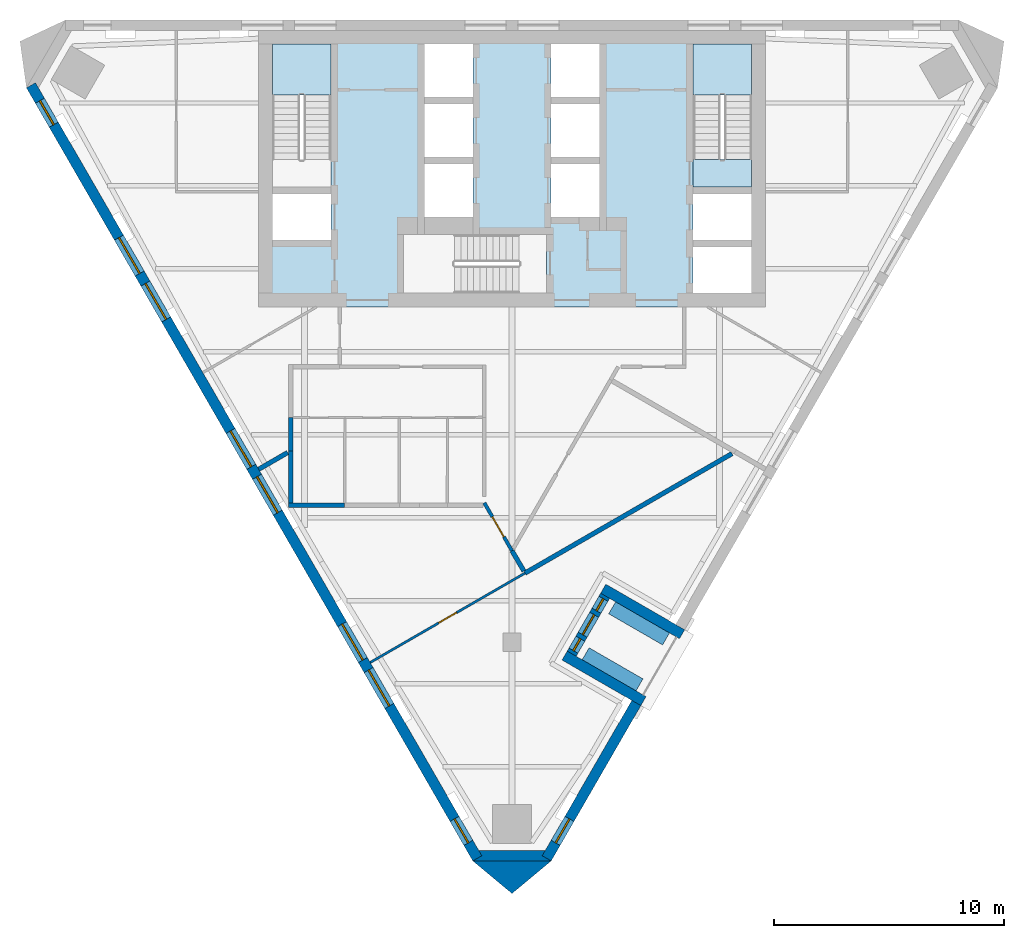
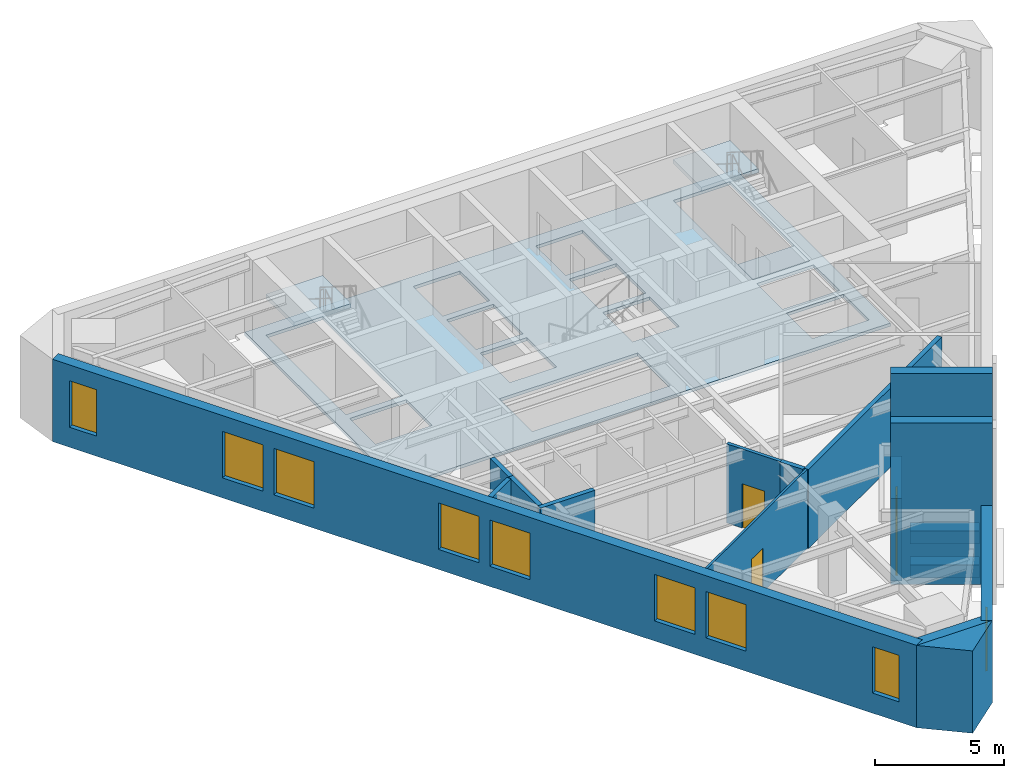
# One storey, part 2 of 7: 17 walls, 11 windows, 4 slabs, 3 doors, 14 openings, 2 elements without a shape of their own.
"""IFC4 building model written with IfcOpenShell, lengths in metres."""

from ifc_helpers import new_model, si_unit, direction, frame, frame_2d, origin, place, context, subcontext, project, spatial, polyline, rectangle, outline, extrude, material, layer, layer_set, type_object, element, fill, aggregate, save


model = new_model("IFC4")

# Units and contexts
model_context = context("Model", 3, precision=1e-05, world=origin(), true_north=direction((0.0, 1.0)))
body_context = subcontext(model_context, "Body", "Model", "MODEL_VIEW")
ifc_project = project(units=[si_unit("LENGTHUNIT", "METRE"), si_unit("AREAUNIT", "SQUARE_METRE"), si_unit("VOLUMEUNIT", "CUBIC_METRE"), si_unit("PLANEANGLEUNIT", "RADIAN"), si_unit("MASSUNIT", "GRAM", prefix="KILO")], contexts=[model_context])

# Site, building, storey
site_placement = place(None, origin())
site = spatial("IfcSite", under=ifc_project, at=site_placement, CompositionType="ELEMENT")
building_placement = place(site_placement, origin())
building = spatial("IfcBuilding", under=site, at=building_placement, Name="Aloe Facet Convention Tower", CompositionType="ELEMENT")
storey_placement = place(building_placement, frame((0.0, 0.0, 215.300048828125)))
storey = spatial("IfcBuildingStorey", under=building, at=storey_placement, Name="L54", CompositionType="ELEMENT", Elevation=215.300048828125)

# Slabs
ifc_material_1 = material(Name="Concrete C50/60", Category="concrete")
ifc_layer_1 = layer(ifc_material_1, 0.14990234375)
ifc_layer_set_1 = layer_set([ifc_layer_1], Name="CR-S-FLOOR150-C5060")
slab_type_1 = type_object("IfcSlabType", Name="CR-S-FLOOR150-C5060", PredefinedType="FLOOR", material=ifc_layer_set_1)
slab_1_placement = place(storey_placement, frame((0.0, 0.0, -0.150146484375)))
element("IfcSlab", 1, at=slab_1_placement, inside=storey, type_object=slab_type_1, Name="Core floor L54", PredefinedType="FLOOR", context=body_context, shape_type="SweptSolid", body=[
    extrude(outline(polyline([(71.85009765625, 134.550048828125), (72.75, 134.550048828125), (75.60009765625, 134.550048828125), (76.5, 134.550048828125), (78.0, 134.550048828125), (78.89990234375, 134.550048828125), (81.10009765625, 134.550048828125), (82.0, 134.550048828125), (83.5, 134.550048828125), (84.39990234375, 134.550048828125), (87.25, 134.550048828125), (88.14990234375, 134.550048828125), (91.0, 134.550048828125), (91.0, 128.050048828125), (91.0, 127.14990234375), (91.0, 125.75), (91.0, 124.85009765625), (91.0, 122.550048828125), (88.14990234375, 122.550048828125), (87.25, 122.550048828125), (85.300048828125, 122.550048828125), (84.39990234375, 122.550048828125), (82.10009765625, 122.550048828125), (81.199951171875, 122.550048828125), (75.60009765625, 122.550048828125), (74.699951171875, 122.550048828125), (72.75, 122.550048828125), (71.85009765625, 122.550048828125), (69.0, 122.550048828125), (69.0, 124.85009765625), (69.0, 125.75), (69.0, 127.14990234375), (69.0, 128.050048828125), (69.0, 134.550048828125), (71.85009765625, 134.550048828125)]), holes=[polyline([(80.298828125, 123.14990234375), (81.5, 123.14990234375), (81.5, 125.699951171875), (80.298828125, 125.699951171875), (75.300048828125, 125.699951171875), (75.300048828125, 123.14990234375), (80.298828125, 123.14990234375)]), polyline([(69.60009765625, 125.449951171875), (72.14990234375, 125.449951171875), (72.14990234375, 127.449951171875), (69.60009765625, 127.449951171875), (69.60009765625, 125.449951171875)]), polyline([(76.199951171875, 126.449951171875), (78.300048828125, 126.449951171875), (78.300048828125, 128.75), (76.199951171875, 128.75), (76.199951171875, 126.449951171875)]), polyline([(78.300048828125, 129.050048828125), (78.300048828125, 131.35009765625), (76.199951171875, 131.35009765625), (76.199951171875, 129.050048828125), (78.300048828125, 129.050048828125)]), polyline([(69.60009765625, 133.949951171875), (69.60009765625, 128.951171875), (69.60009765625, 127.75), (72.14990234375, 127.75), (72.14990234375, 128.951171875), (72.14990234375, 133.949951171875), (69.60009765625, 133.949951171875)]), polyline([(76.199951171875, 131.64990234375), (78.300048828125, 131.64990234375), (78.300048828125, 133.949951171875), (76.199951171875, 133.949951171875), (76.199951171875, 131.64990234375)]), polyline([(90.39990234375, 123.14990234375), (90.39990234375, 125.14990234375), (87.85009765625, 125.14990234375), (87.85009765625, 123.14990234375), (90.39990234375, 123.14990234375)]), polyline([(87.85009765625, 125.449951171875), (90.39990234375, 125.449951171875), (90.39990234375, 127.449951171875), (87.85009765625, 127.449951171875), (87.85009765625, 125.449951171875)]), polyline([(81.699951171875, 126.449951171875), (83.800048828125, 126.449951171875), (83.800048828125, 128.75), (81.699951171875, 128.75), (81.699951171875, 126.449951171875)]), polyline([(83.800048828125, 129.050048828125), (83.800048828125, 131.35009765625), (81.699951171875, 131.35009765625), (81.699951171875, 129.050048828125), (83.800048828125, 129.050048828125)]), polyline([(87.85009765625, 133.949951171875), (87.85009765625, 128.951171875), (87.85009765625, 127.75), (90.39990234375, 127.75), (90.39990234375, 128.951171875), (90.39990234375, 133.949951171875), (87.85009765625, 133.949951171875)]), polyline([(81.699951171875, 131.64990234375), (83.800048828125, 131.64990234375), (83.800048828125, 133.949951171875), (81.699951171875, 133.949951171875), (81.699951171875, 131.64990234375)])]), origin(), (0.0, 0.0, 1.0), 0.150146484375),
])
ifc_material_2 = material(Name="Concrete C50/60", Category="concrete")
ifc_layer_2 = layer(ifc_material_2, 0.300048828125)
ifc_layer_set_2 = layer_set([ifc_layer_2], Name="CR-S-FLOOR300-C5060")
slab_type_2 = type_object("IfcSlabType", Name="CR-S-FLOOR300-C5060", PredefinedType="FLOOR", material=ifc_layer_set_2)
slab_2_placement = place(storey_placement, frame((0.0, 0.0, -0.300048828125)))
element("IfcSlab", 2, at=slab_2_placement, inside=storey, type_object=slab_type_2, Name="Stair landing floor L54", PredefinedType="FLOOR", context=body_context, shape_type="SweptSolid", body=[
    extrude(outline(polyline([(90.39990234375, 127.75), (90.39990234375, 128.951171875), (87.85009765625, 128.951171875), (87.85009765625, 127.75), (90.39990234375, 127.75)])), origin(), (0.0, 0.0, 1.0), 0.300048828125),
])

# Stair, slab
ifc_material_3 = material(Name="Concrete C50/60", Category="concrete")
stair_type = type_object("IfcStairType", Name="CR-ST-22R", PredefinedType="HALF_TURN_STAIR", material=ifc_material_3)
stair_1_placement = place(storey_placement, origin())
stair_1 = element("IfcStair", 3, at=stair_1_placement, inside=storey, type_object=stair_type, Name="L54 Protected exit stair ST1", PredefinedType="HALF_TURN_STAIR")
ifc_material_4 = material(Name="Concrete C50/60", Category="concrete")
ifc_layer_3 = layer(ifc_material_4, 0.199951171875)
ifc_layer_set_3 = layer_set([ifc_layer_3], Name="CR-SL-LANDING")
slab_type_3 = type_object("IfcSlabType", Name="CR-SL-LANDING", PredefinedType="LANDING", material=ifc_layer_set_3)
slab_3_placement = place(storey_placement, frame((0.0, 0.0, 1.75)))
slab_3 = element("IfcSlab", 4, at=slab_3_placement, type_object=slab_type_3, Name="ST1 landing 1", PredefinedType="LANDING", context=body_context, shape_type="SweptSolid", body=[
    extrude(outline(polyline([(72.14990234375, 131.75), (72.14990234375, 133.949951171875), (69.60009765625, 133.949951171875), (69.60009765625, 131.75), (72.14990234375, 131.75)])), origin(), (0.0, 0.0, 1.0), 0.199951171875),
])
aggregate(stair_1, [slab_3])

stair_2_placement = place(storey_placement, origin())
stair_2 = element("IfcStair", 5, at=stair_2_placement, inside=storey, type_object=stair_type, Name="L54 Protected exit stair ST2", PredefinedType="HALF_TURN_STAIR")
slab_4_placement = place(storey_placement, frame((0.0, 0.0, 1.75)))
slab_4 = element("IfcSlab", 6, at=slab_4_placement, type_object=slab_type_3, Name="ST2 landing 1", PredefinedType="LANDING", context=body_context, shape_type="SweptSolid", body=[
    extrude(outline(polyline([(90.39990234375, 131.75), (90.39990234375, 133.949951171875), (87.85009765625, 133.949951171875), (87.85009765625, 131.75), (90.39990234375, 131.75)])), origin(), (0.0, 0.0, 1.0), 0.199951171875),
])
aggregate(stair_2, [slab_4])

# Walls
ifc_material_5 = material(Name="Precast concrete C40/50", Category="concrete")
ifc_layer_4 = layer(ifc_material_5, 0.60009765625)
ifc_layer_set_4 = layer_set([ifc_layer_4], Name="EV-PLANTER")
wall_type_1 = type_object("IfcWallType", Name="EV-PLANTER", PredefinedType="STANDARD", material=ifc_layer_set_4)
for number, where, z_axis, x_axis, name in (
    (7, (85.533203125, 106.154296875, 0.0), (0.0, 0.0, 1.0), (-0.866059108428, 0.4999416173, 0.0), "PLANTER T12-1"),
    (8, (86.68310546875, 108.14599609375, 0.0), (0.0, 0.0, 1.0), (-0.86599734893, 0.500048589285, 0.0), "PLANTER T12-2"),
):
    element("IfcWall", number, at=place(storey_placement, frame(where, z_axis=z_axis, x_axis=x_axis)), inside=storey, type_object=wall_type_1, Name=name, PredefinedType="STANDARD", context=body_context, shape_type="SweptSolid", body=[
        extrude(rectangle(XDim=2.699951171875, YDim=0.60009765625, at=frame_2d((1.35009765625, 0.0))), origin(), (0.0, 0.0, 1.0), 0.599853515625),
    ])
ifc_material_6 = material(Name="Precast concrete C40/50", Category="concrete")
ifc_layer_5 = layer(ifc_material_6, 0.449951171875)
ifc_layer_set_5 = layer_set([ifc_layer_5], Name="EV-WALL-PIER")
wall_type_2 = type_object("IfcWallType", Name="EV-WALL-PIER", PredefinedType="SOLIDWALL", material=ifc_layer_set_5)
wall_1_placement = place(storey_placement, frame((0.0, 0.0, -0.150146484375)))
element("IfcWall", 9, at=wall_1_placement, inside=storey, type_object=wall_type_2, Name="EP-L54-B", PredefinedType="SOLIDWALL", context=body_context, shape_type="SweptSolid", body=[
    extrude(outline(polyline([(78.300048828125, 98.514892578125), (78.689697265625, 98.739990234375), (78.559814453125, 98.965087890625), (81.440185546875, 98.965087890625), (81.310302734375, 98.739990234375), (81.699951171875, 98.514892578125), (78.300048828125, 98.514892578125)])), origin(), (0.0, 0.0, 1.0), 3.900146484375),
])
ifc_material_7 = material(Name="Precast concrete C40/50", Category="concrete")
ifc_layer_6 = layer(ifc_material_7, 3.947998046875)
ifc_layer_set_6 = layer_set([ifc_layer_6], Name="EV-WALL-SPINE")
wall_type_3 = type_object("IfcWallType", Name="EV-WALL-SPINE", PredefinedType="SOLIDWALL", material=ifc_layer_set_6)
wall_2_placement = place(storey_placement, frame((0.0, 0.0, -0.150146484375)))
element("IfcWall", 10, at=wall_2_placement, inside=storey, type_object=wall_type_3, Name="SP-S-L54", PredefinedType="SOLIDWALL", context=body_context, shape_type="SweptSolid", body=[
    extrude(outline(polyline([(78.300048828125, 98.514892578125), (80.0, 97.100830078125), (81.699951171875, 98.514892578125), (78.300048828125, 98.514892578125)])), origin(), (0.0, 0.0, 1.0), 3.900146484375),
])

# Wall, openings, windows
ifc_material_8 = material(Name="Precast concrete C40/50", Category="concrete")
ifc_layer_7 = layer(ifc_material_8, 0.449951171875)
ifc_layer_set_7 = layer_set([ifc_layer_7], Name="EV-WALL-STONE")
wall_type_4 = type_object("IfcWallType", Name="EV-WALL-STONE", PredefinedType="SOLIDWALL", material=ifc_layer_set_7)
wall_3_placement = place(storey_placement, frame((59.130126953125, 132.16796875, -0.150146484375), z_axis=(0.0, 0.0, 1.0), x_axis=(0.500002199942, -0.866024133644, 0.0)))
wall_3 = element("IfcWall", 11, at=wall_3_placement, inside=storey, type_object=wall_type_4, Name="EW-L54-W01", PredefinedType="SOLIDWALL", context=body_context, shape_type="SweptSolid", body=[
    extrude(outline(polyline([(38.729248046875, 0.0), (38.729248046875, 3.900146484375), (0.0, 3.900146484375), (0.0, 0.0), (38.729248046875, 0.0)])), frame((0.0, 0.22509765625, 0.0), z_axis=(0.0, -1.0, 0.0), x_axis=(1.0, 0.0, 0.0)), (0.0, 0.0, 1.0), 0.449951171875),
])
opening_1_placement = place(wall_3_placement, frame((0.776123046875, 0.0, 0.949951171875)))
opening_1 = element("IfcOpeningElement", 12, at=opening_1_placement, cuts=wall_3, Name="Opening W-L54-W01", PredefinedType="OPENING", context=body_context, shape_type="SweptSolid", body=[
    extrude(rectangle(XDim=1.199951171875, YDim=2.199951171875, at=frame_2d((0.60009765625, 1.10009765625))), frame((0.0, 0.23486328125, 0.0), z_axis=(0.0, -1.0, 0.0), x_axis=(1.0, 0.0, 0.0)), (0.0, 0.0, 1.0), 0.469970703125),
])
opening_2_placement = place(wall_3_placement, frame((7.63232421875, 0.0, 0.949951171875)))
opening_2 = element("IfcOpeningElement", 13, at=opening_2_placement, cuts=wall_3, Name="Opening W-L54-W02", PredefinedType="OPENING", context=body_context, shape_type="SweptSolid", body=[
    extrude(rectangle(XDim=1.800048828125, YDim=2.199951171875, at=frame_2d((0.89990234375, 1.10009765625))), frame((0.0, 0.23486328125, 0.0), z_axis=(0.0, -1.0, 0.0), x_axis=(1.0, 0.0, 0.0)), (0.0, 0.0, 1.0), 0.469970703125),
])
opening_3_placement = place(wall_3_placement, frame((9.932373046875, 0.0, 0.949951171875)))
opening_3 = element("IfcOpeningElement", 14, at=opening_3_placement, cuts=wall_3, Name="Opening W-L54-W03", PredefinedType="OPENING", context=body_context, shape_type="SweptSolid", body=[
    extrude(rectangle(XDim=1.800048828125, YDim=2.199951171875, at=frame_2d((0.89990234375, 1.10009765625))), frame((0.0, 0.23486328125, 0.0), z_axis=(0.0, -1.0, 0.0), x_axis=(1.0, 0.0, 0.0)), (0.0, 0.0, 1.0), 0.469970703125),
])
opening_4_placement = place(wall_3_placement, frame((17.314697265625, 0.0, 0.949951171875)))
opening_4 = element("IfcOpeningElement", 15, at=opening_4_placement, cuts=wall_3, Name="Opening W-L54-W04", PredefinedType="OPENING", context=body_context, shape_type="SweptSolid", body=[
    extrude(rectangle(XDim=1.800048828125, YDim=2.199951171875, at=frame_2d((0.89990234375, 1.10009765625))), frame((0.0, 0.23486328125, 0.0), z_axis=(0.0, -1.0, 0.0), x_axis=(1.0, 0.0, 0.0)), (0.0, 0.0, 1.0), 0.469970703125),
])
opening_5_placement = place(wall_3_placement, frame((19.614501953125, 0.0, 0.949951171875)))
opening_5 = element("IfcOpeningElement", 16, at=opening_5_placement, cuts=wall_3, Name="Opening W-L54-W05", PredefinedType="OPENING", context=body_context, shape_type="SweptSolid", body=[
    extrude(rectangle(XDim=1.800048828125, YDim=2.199951171875, at=frame_2d((0.89990234375, 1.10009765625))), frame((0.0, 0.23486328125, 0.0), z_axis=(0.0, -1.0, 0.0), x_axis=(1.0, 0.0, 0.0)), (0.0, 0.0, 1.0), 0.469970703125),
])
opening_6_placement = place(wall_3_placement, frame((26.996826171875, 0.0, 0.949951171875)))
opening_6 = element("IfcOpeningElement", 17, at=opening_6_placement, cuts=wall_3, Name="Opening W-L54-W06", PredefinedType="OPENING", context=body_context, shape_type="SweptSolid", body=[
    extrude(rectangle(XDim=1.800048828125, YDim=2.199951171875, at=frame_2d((0.89990234375, 1.10009765625))), frame((0.0, 0.23486328125, 0.0), z_axis=(0.0, -1.0, 0.0), x_axis=(1.0, 0.0, 0.0)), (0.0, 0.0, 1.0), 0.469970703125),
])
opening_7_placement = place(wall_3_placement, frame((29.296875, 0.0, 0.949951171875)))
opening_7 = element("IfcOpeningElement", 18, at=opening_7_placement, cuts=wall_3, Name="Opening W-L54-W07", PredefinedType="OPENING", context=body_context, shape_type="SweptSolid", body=[
    extrude(rectangle(XDim=1.800048828125, YDim=2.199951171875, at=frame_2d((0.89990234375, 1.10009765625))), frame((0.0, 0.23486328125, 0.0), z_axis=(0.0, -1.0, 0.0), x_axis=(1.0, 0.0, 0.0)), (0.0, 0.0, 1.0), 0.469970703125),
])
opening_8_placement = place(wall_3_placement, frame((36.753173828125, 0.0, 0.949951171875)))
opening_8 = element("IfcOpeningElement", 19, at=opening_8_placement, cuts=wall_3, Name="Opening W-L54-W08", PredefinedType="OPENING", context=body_context, shape_type="SweptSolid", body=[
    extrude(rectangle(XDim=1.199951171875, YDim=2.199951171875, at=frame_2d((0.60009765625, 1.10009765625))), frame((0.0, 0.23486328125, 0.0), z_axis=(0.0, -1.0, 0.0), x_axis=(1.0, 0.0, 0.0)), (0.0, 0.0, 1.0), 0.469970703125),
])
ifc_material_9 = material(Name="Aluminium frame, clear double glazing", Category="aluminium")
window_type_1 = type_object("IfcWindowType", Name="EV-WIN-O12", PartitioningType="SINGLE_PANEL", PredefinedType="WINDOW", material=ifc_material_9)
window_1_placement = place(opening_1_placement, origin())
window_1 = element("IfcWindow", 20, at=window_1_placement, inside=storey, type_object=window_type_1, Name="W-L54-W01", OverallHeight=2.199951171875, OverallWidth=1.199951171875, PartitioningType="SINGLE_PANEL", PredefinedType="WINDOW", context=body_context, shape_type="SweptSolid", body=[
    extrude(rectangle(XDim=1.199951171875, YDim=2.199951171875, at=frame_2d((0.60009765625, 1.10009765625))), frame((0.0, 0.030029296875, 0.0), z_axis=(0.0, -1.0, 0.0), x_axis=(1.0, 0.0, 0.0)), (0.0, 0.0, 1.0), 0.06005859375),
])
fill(opening_1, window_1)
window_2_placement = place(opening_8_placement, origin())
window_2 = element("IfcWindow", 21, at=window_2_placement, inside=storey, type_object=window_type_1, Name="W-L54-W08", OverallHeight=2.199951171875, OverallWidth=1.199951171875, PartitioningType="SINGLE_PANEL", PredefinedType="WINDOW", context=body_context, shape_type="SweptSolid", body=[
    extrude(rectangle(XDim=1.199951171875, YDim=2.199951171875, at=frame_2d((0.60009765625, 1.10009765625))), frame((0.0, 0.030029296875, 0.0), z_axis=(0.0, -1.0, 0.0), x_axis=(1.0, 0.0, 0.0)), (0.0, 0.0, 1.0), 0.06005859375),
])
fill(opening_8, window_2)
ifc_material_10 = material(Name="Aluminium frame, clear double glazing", Category="aluminium")
window_type_2 = type_object("IfcWindowType", Name="EV-WIN-O18", PartitioningType="SINGLE_PANEL", PredefinedType="WINDOW", material=ifc_material_10)
window_3_placement = place(opening_2_placement, origin())
window_3 = element("IfcWindow", 22, at=window_3_placement, inside=storey, type_object=window_type_2, Name="W-L54-W02", OverallHeight=2.199951171875, OverallWidth=1.800048828125, PartitioningType="SINGLE_PANEL", PredefinedType="WINDOW", context=body_context, shape_type="SweptSolid", body=[
    extrude(rectangle(XDim=1.800048828125, YDim=2.199951171875, at=frame_2d((0.89990234375, 1.10009765625))), frame((0.0, 0.030029296875, 0.0), z_axis=(0.0, -1.0, 0.0), x_axis=(1.0, 0.0, 0.0)), (0.0, 0.0, 1.0), 0.06005859375),
])
fill(opening_2, window_3)
window_4_placement = place(opening_3_placement, origin())
window_4 = element("IfcWindow", 23, at=window_4_placement, inside=storey, type_object=window_type_2, Name="W-L54-W03", OverallHeight=2.199951171875, OverallWidth=1.800048828125, PartitioningType="SINGLE_PANEL", PredefinedType="WINDOW", context=body_context, shape_type="SweptSolid", body=[
    extrude(rectangle(XDim=1.800048828125, YDim=2.199951171875, at=frame_2d((0.89990234375, 1.10009765625))), frame((0.0, 0.030029296875, 0.0), z_axis=(0.0, -1.0, 0.0), x_axis=(1.0, 0.0, 0.0)), (0.0, 0.0, 1.0), 0.06005859375),
])
fill(opening_3, window_4)
window_5_placement = place(opening_4_placement, origin())
window_5 = element("IfcWindow", 24, at=window_5_placement, inside=storey, type_object=window_type_2, Name="W-L54-W04", OverallHeight=2.199951171875, OverallWidth=1.800048828125, PartitioningType="SINGLE_PANEL", PredefinedType="WINDOW", context=body_context, shape_type="SweptSolid", body=[
    extrude(rectangle(XDim=1.800048828125, YDim=2.199951171875, at=frame_2d((0.89990234375, 1.10009765625))), frame((0.0, 0.030029296875, 0.0), z_axis=(0.0, -1.0, 0.0), x_axis=(1.0, 0.0, 0.0)), (0.0, 0.0, 1.0), 0.06005859375),
])
fill(opening_4, window_5)
window_6_placement = place(opening_5_placement, origin())
window_6 = element("IfcWindow", 25, at=window_6_placement, inside=storey, type_object=window_type_2, Name="W-L54-W05", OverallHeight=2.199951171875, OverallWidth=1.800048828125, PartitioningType="SINGLE_PANEL", PredefinedType="WINDOW", context=body_context, shape_type="SweptSolid", body=[
    extrude(rectangle(XDim=1.800048828125, YDim=2.199951171875, at=frame_2d((0.89990234375, 1.10009765625))), frame((0.0, 0.030029296875, 0.0), z_axis=(0.0, -1.0, 0.0), x_axis=(1.0, 0.0, 0.0)), (0.0, 0.0, 1.0), 0.06005859375),
])
fill(opening_5, window_6)
window_7_placement = place(opening_6_placement, origin())
window_7 = element("IfcWindow", 26, at=window_7_placement, inside=storey, type_object=window_type_2, Name="W-L54-W06", OverallHeight=2.199951171875, OverallWidth=1.800048828125, PartitioningType="SINGLE_PANEL", PredefinedType="WINDOW", context=body_context, shape_type="SweptSolid", body=[
    extrude(rectangle(XDim=1.800048828125, YDim=2.199951171875, at=frame_2d((0.89990234375, 1.10009765625))), frame((0.0, 0.030029296875, 0.0), z_axis=(0.0, -1.0, 0.0), x_axis=(1.0, 0.0, 0.0)), (0.0, 0.0, 1.0), 0.06005859375),
])
fill(opening_6, window_7)
window_8_placement = place(opening_7_placement, origin())
window_8 = element("IfcWindow", 27, at=window_8_placement, inside=storey, type_object=window_type_2, Name="W-L54-W07", OverallHeight=2.199951171875, OverallWidth=1.800048828125, PartitioningType="SINGLE_PANEL", PredefinedType="WINDOW", context=body_context, shape_type="SweptSolid", body=[
    extrude(rectangle(XDim=1.800048828125, YDim=2.199951171875, at=frame_2d((0.89990234375, 1.10009765625))), frame((0.0, 0.030029296875, 0.0), z_axis=(0.0, -1.0, 0.0), x_axis=(1.0, 0.0, 0.0)), (0.0, 0.0, 1.0), 0.06005859375),
])
fill(opening_7, window_8)

# Wall, opening, window
wall_4_placement = place(storey_placement, frame((81.505126953125, 98.62744140625, -0.150146484375), z_axis=(0.0, 0.0, 1.0), x_axis=(0.499992199611, 0.866029907294, 0.0)))
wall_4 = element("IfcWall", 28, at=wall_4_placement, inside=storey, type_object=wall_type_4, Name="EW-L54-E01", PredefinedType="SOLIDWALL", context=body_context, shape_type="SweptSolid", body=[
    extrude(outline(polyline([(0.0, 0.0), (0.0, 3.900146484375), (7.7822265625, 3.900146484375), (7.7822265625, 0.0), (0.0, 0.0)])), frame((0.0, 0.22509765625, 0.0), z_axis=(0.0, -1.0, 0.0), x_axis=(1.0, 0.0, 0.0)), (0.0, 0.0, 1.0), 0.449951171875),
])
opening_9_placement = place(wall_4_placement, frame((0.776123046875, 0.0, 0.949951171875)))
opening_9 = element("IfcOpeningElement", 29, at=opening_9_placement, cuts=wall_4, Name="Opening W-L54-E01", PredefinedType="OPENING", context=body_context, shape_type="SweptSolid", body=[
    extrude(rectangle(XDim=1.199951171875, YDim=2.199951171875, at=frame_2d((0.60009765625, 1.10009765625))), frame((0.0, 0.23486328125, 0.0), z_axis=(0.0, -1.0, 0.0), x_axis=(1.0, 0.0, 0.0)), (0.0, 0.0, 1.0), 0.469970703125),
])
window_9_placement = place(opening_9_placement, origin())
window_9 = element("IfcWindow", 30, at=window_9_placement, inside=storey, type_object=window_type_1, Name="W-L54-E01", OverallHeight=2.199951171875, OverallWidth=1.199951171875, PartitioningType="SINGLE_PANEL", PredefinedType="WINDOW", context=body_context, shape_type="SweptSolid", body=[
    extrude(rectangle(XDim=1.199951171875, YDim=2.199951171875, at=frame_2d((0.60009765625, 1.10009765625))), frame((0.0, 0.030029296875, 0.0), z_axis=(0.0, -1.0, 0.0), x_axis=(1.0, 0.0, 0.0)), (0.0, 0.0, 1.0), 0.06005859375),
])
fill(opening_9, window_9)

# Walls
for number, where, z_axis, x_axis, name in (
    (31, (85.70361328125, 105.449462890625, 0.0), (0.0, 0.0, 1.0), (-0.866005453737, 0.500034552904, 0.0), "TW-T12-1"),
    (32, (87.378662109375, 108.350830078125, 0.0), (0.0, 0.0, 1.0), (-0.866047669374, 0.499961432884, 0.0), "TW-T12-2"),
):
    element("IfcWall", number, at=place(storey_placement, frame(where, z_axis=z_axis, x_axis=x_axis)), inside=storey, type_object=wall_type_4, Name=name, PredefinedType="SOLIDWALL", context=body_context, shape_type="SweptSolid", body=[
        extrude(rectangle(XDim=3.949951171875, YDim=0.449951171875, at=frame_2d((1.97509765625, 0.0))), origin(), (0.0, 0.0, 1.0), 7.64990234375),
    ])

# Wall, openings, door, windows
wall_5_placement = place(storey_placement, frame((82.590087890625, 107.5068359375, -0.150146484375), z_axis=(0.0, 0.0, 1.0), x_axis=(0.50005036918, 0.865996321171, 0.0)))
wall_5 = element("IfcWall", 33, at=wall_5_placement, inside=storey, type_object=wall_type_4, Name="TB-T12-L54", PredefinedType="SOLIDWALL", context=body_context, shape_type="SweptSolid", body=[
    extrude(rectangle(XDim=2.900146484375, YDim=0.449951171875, at=frame_2d((1.4501953125, 0.0))), origin(), (0.0, 0.0, 1.0), 3.900146484375),
])
opening_10_placement = place(wall_5_placement, frame((0.949951171875, 0.0, 0.14990234375)))
opening_10 = element("IfcOpeningElement", 34, at=opening_10_placement, cuts=wall_5, Name="Opening D-T12", PredefinedType="OPENING", context=body_context, shape_type="SweptSolid", body=[
    extrude(rectangle(XDim=1.0, YDim=2.39990234375, at=frame_2d((0.5, 1.199951171875))), frame((0.0, 0.23486328125, 0.0), z_axis=(0.0, -1.0, 0.0), x_axis=(1.0, 0.0, 0.0)), (0.0, 0.0, 1.0), 0.469970703125),
])
opening_11_placement = place(wall_5_placement, frame((0.14990234375, 0.0, 0.14990234375)))
opening_11 = element("IfcOpeningElement", 35, at=opening_11_placement, cuts=wall_5, Name="Opening G-T12-1", PredefinedType="OPENING", context=body_context, shape_type="SweptSolid", body=[
    extrude(rectangle(XDim=0.60009765625, YDim=2.39990234375, at=frame_2d((0.300048828125, 1.199951171875))), frame((0.0, 0.23486328125, 0.0), z_axis=(0.0, -1.0, 0.0), x_axis=(1.0, 0.0, 0.0)), (0.0, 0.0, 1.0), 0.469970703125),
])
opening_12_placement = place(wall_5_placement, frame((2.14990234375, 0.0, 0.14990234375)))
opening_12 = element("IfcOpeningElement", 36, at=opening_12_placement, cuts=wall_5, Name="Opening G-T12-2", PredefinedType="OPENING", context=body_context, shape_type="SweptSolid", body=[
    extrude(rectangle(XDim=0.60009765625, YDim=2.39990234375, at=frame_2d((0.300048828125, 1.199951171875))), frame((0.0, 0.23486328125, 0.0), z_axis=(0.0, -1.0, 0.0), x_axis=(1.0, 0.0, 0.0)), (0.0, 0.0, 1.0), 0.469970703125),
])
ifc_material_11 = material(Name="Aluminium frame, clear double glazing", Category="aluminium")
door_type_1 = type_object("IfcDoorType", Name="EV-DOOR-TERR", OperationType="SINGLE_SWING_LEFT", PredefinedType="DOOR", material=ifc_material_11)
door_1_placement = place(opening_10_placement, origin())
door_1 = element("IfcDoor", 37, at=door_1_placement, inside=storey, type_object=door_type_1, Name="D-T12", OperationType="SINGLE_SWING_LEFT", OverallHeight=2.39990234375, OverallWidth=1.0, PredefinedType="DOOR", context=body_context, shape_type="SweptSolid", body=[
    extrude(rectangle(XDim=1.0, YDim=2.39990234375, at=frame_2d((0.5, 1.199951171875))), frame((0.0, 0.02490234375, 0.0), z_axis=(0.0, -1.0, 0.0), x_axis=(1.0, 0.0, 0.0)), (0.0, 0.0, 1.0), 0.050048828125),
])
fill(opening_10, door_1)
ifc_material_12 = material(Name="Aluminium frame, clear double glazing", Category="aluminium")
window_type_3 = type_object("IfcWindowType", Name="EV-WIN-SL60", PartitioningType="SINGLE_PANEL", PredefinedType="WINDOW", material=ifc_material_12)
window_10_placement = place(opening_11_placement, origin())
window_10 = element("IfcWindow", 38, at=window_10_placement, inside=storey, type_object=window_type_3, Name="G-T12-1", OverallHeight=2.39990234375, OverallWidth=0.60009765625, PartitioningType="SINGLE_PANEL", PredefinedType="WINDOW", context=body_context, shape_type="SweptSolid", body=[
    extrude(rectangle(XDim=0.60009765625, YDim=2.39990234375, at=frame_2d((0.300048828125, 1.199951171875))), frame((0.0, 0.030029296875, 0.0), z_axis=(0.0, -1.0, 0.0), x_axis=(1.0, 0.0, 0.0)), (0.0, 0.0, 1.0), 0.06005859375),
])
fill(opening_11, window_10)
window_11_placement = place(opening_12_placement, origin())
window_11 = element("IfcWindow", 39, at=window_11_placement, inside=storey, type_object=window_type_3, Name="G-T12-2", OverallHeight=2.39990234375, OverallWidth=0.60009765625, PartitioningType="SINGLE_PANEL", PredefinedType="WINDOW", context=body_context, shape_type="SweptSolid", body=[
    extrude(rectangle(XDim=0.60009765625, YDim=2.39990234375, at=frame_2d((0.300048828125, 1.199951171875))), frame((0.0, 0.030029296875, 0.0), z_axis=(0.0, -1.0, 0.0), x_axis=(1.0, 0.0, 0.0)), (0.0, 0.0, 1.0), 0.06005859375),
])
fill(opening_12, window_11)

# Wall, opening, door
ifc_material_13 = material(Name="Gypsum board partition on steel studs", Category="steel")
ifc_layer_8 = layer(ifc_material_13, 0.14990234375)
ifc_layer_set_8 = layer_set([ifc_layer_8], Name="IN-W-CORR")
wall_type_5 = type_object("IfcWallType", Name="IN-W-CORR", PredefinedType="PARTITIONING", material=ifc_layer_set_8)
wall_6_placement = place(storey_placement, frame((78.800048828125, 114.048828125, 0.0), z_axis=(0.0, 0.0, 1.0), x_axis=(0.500001309137, -0.866024647952, 0.0)))
wall_6 = element("IfcWall", 40, at=wall_6_placement, inside=storey, type_object=wall_type_5, Name="Partition L54-W004", PredefinedType="PARTITIONING", context=body_context, shape_type="SweptSolid", body=[
    extrude(rectangle(XDim=2.39990234375, YDim=0.14990234375, at=frame_2d((1.199951171875, 0.0))), origin(), (0.0, 0.0, 1.0), 3.75),
])
opening_13_placement = place(wall_6_placement, frame((0.699951171875, 0.0, 0.0)))
opening_13 = element("IfcOpeningElement", 41, at=opening_13_placement, cuts=wall_6, Name="Opening L54-010", PredefinedType="OPENING", context=body_context, shape_type="SweptSolid", body=[
    extrude(rectangle(XDim=1.0, YDim=2.10009765625, at=frame_2d((0.5, 1.050048828125))), frame((0.0, 0.0849609375, 0.0), z_axis=(0.0, -1.0, 0.0), x_axis=(1.0, 0.0, 0.0)), (0.0, 0.0, 1.0), 0.169921875),
])
ifc_material_14 = material(Name="Timber door FD30S with vision panel", Category="wood")
door_type_2 = type_object("IfcDoorType", Name="IN-OFF-D-ENTRY", OperationType="SINGLE_SWING_LEFT", PredefinedType="DOOR", material=ifc_material_14)
door_2_placement = place(opening_13_placement, origin())
door_2 = element("IfcDoor", 42, at=door_2_placement, inside=storey, type_object=door_type_2, Name="Door L54-010", OperationType="SINGLE_SWING_LEFT", OverallHeight=2.10009765625, OverallWidth=1.0, PredefinedType="DOOR", context=body_context, shape_type="SweptSolid", body=[
    extrude(rectangle(XDim=1.0, YDim=2.10009765625, at=frame_2d((0.5, 1.050048828125))), frame((0.0, 0.02490234375, 0.0), z_axis=(0.0, -1.0, 0.0), x_axis=(1.0, 0.0, 0.0)), (0.0, 0.0, 1.0), 0.050048828125),
])
fill(opening_13, door_2)

ifc_material_15 = material(Name="Gypsum board partition on steel studs", Category="steel")
ifc_layer_9 = layer(ifc_material_15, 0.10009765625)
ifc_layer_set_9 = layer_set([ifc_layer_9], Name="IN-W-PART")
wall_type_6 = type_object("IfcWallType", Name="IN-W-PART", PredefinedType="PARTITIONING", material=ifc_layer_set_9)
wall_7_placement = place(storey_placement, frame((73.8486328125, 107.125244140625, 0.0), z_axis=(0.0, 0.0, 1.0), x_axis=(0.866027358884, 0.499996613652, 0.0)))
wall_7 = element("IfcWall", 43, at=wall_7_placement, inside=storey, type_object=wall_type_6, Name="Partition L54-W001", PredefinedType="PARTITIONING", context=body_context, shape_type="SweptSolid", body=[
    extrude(rectangle(XDim=7.759765625, YDim=0.10009765625, at=frame_2d((3.8798828125, 0.0))), origin(), (0.0, 0.0, 1.0), 3.75),
])
opening_14_placement = place(wall_7_placement, frame((3.429931640625, 0.0, 0.0)))
opening_14 = element("IfcOpeningElement", 44, at=opening_14_placement, cuts=wall_7, Name="Opening L54-014", PredefinedType="OPENING", context=body_context, shape_type="SweptSolid", body=[
    extrude(rectangle(XDim=0.89990234375, YDim=2.10009765625, at=frame_2d((0.449951171875, 1.050048828125))), frame((0.0, 0.06005859375, 0.0), z_axis=(0.0, -1.0, 0.0), x_axis=(1.0, 0.0, 0.0)), (0.0, 0.0, 1.0), 0.1201171875),
])
ifc_material_16 = material(Name="Timber door", Category="wood")
door_type_3 = type_object("IfcDoorType", Name="IN-OFF-D-ROOM", OperationType="SINGLE_SWING_LEFT", PredefinedType="DOOR", material=ifc_material_16)
door_3_placement = place(opening_14_placement, origin())
door_3 = element("IfcDoor", 45, at=door_3_placement, inside=storey, type_object=door_type_3, Name="Door L54-014", OperationType="SINGLE_SWING_LEFT", OverallHeight=2.10009765625, OverallWidth=0.89990234375, PredefinedType="DOOR", context=body_context, shape_type="SweptSolid", body=[
    extrude(rectangle(XDim=0.89990234375, YDim=2.10009765625, at=frame_2d((0.449951171875, 1.050048828125))), frame((0.0, 0.02490234375, 0.0), z_axis=(0.0, -1.0, 0.0), x_axis=(1.0, 0.0, 0.0)), (0.0, 0.0, 1.0), 0.050048828125),
])
fill(opening_14, door_3)

# Walls
ifc_material_17 = material(Name="Gypsum board partition on steel studs", Category="steel")
ifc_layer_10 = layer(ifc_material_17, 0.199951171875)
ifc_layer_set_10 = layer_set([ifc_layer_10], Name="IN-W-PARTY")
wall_type_7 = type_object("IfcWallType", Name="IN-W-PARTY", PredefinedType="PARTITIONING", material=ifc_layer_set_10)
wall_8_placement = place(storey_placement, frame((80.56884765625, 111.005126953125, 0.0), z_axis=(0.0, 0.0, 1.0), x_axis=(0.866025130863, 0.500000472714, 0.0)))
element("IfcWall", 46, at=wall_8_placement, inside=storey, type_object=wall_type_7, Name="Partition L54-W002", PredefinedType="PARTITIONING", context=body_context, shape_type="SweptSolid", body=[
    extrude(rectangle(XDim=10.36328125, YDim=0.199951171875, at=frame_2d((5.181640625, 0.0))), origin(), (0.0, 0.0, 1.0), 3.75),
])
wall_9_placement = place(storey_placement, frame((80.0, 111.970458984375, 0.0), z_axis=(0.0, 0.0, 1.0), x_axis=(0.507689136561, -0.861540330233, 0.0)))
element("IfcWall", 47, at=wall_9_placement, inside=storey, type_object=wall_type_7, Name="Partition L54-W003", PredefinedType="PARTITIONING", context=body_context, shape_type="SweptSolid", body=[
    extrude(rectangle(XDim=1.0205078125, YDim=0.199951171875, at=frame_2d((0.51025390625, 0.0))), origin(), (0.0, 0.0, 1.0), 3.75),
])
wall_10_placement = place(storey_placement, frame((70.300048828125, 113.947021484375, 0.0), z_axis=(0.0, 0.0, 1.0), x_axis=(1.0, 0.0, 0.0)))
element("IfcWall", 48, at=wall_10_placement, inside=storey, type_object=wall_type_7, Name="Partition L54-W005", PredefinedType="PARTITIONING", context=body_context, shape_type="SweptSolid", body=[
    extrude(rectangle(XDim=2.44189453125, YDim=0.199951171875, at=frame_2d((1.220947265625, 0.0))), origin(), (0.0, 0.0, 1.0), 3.75),
])
wall_11_placement = place(storey_placement, frame((69.009033203125, 115.507568359375, 0.0), z_axis=(0.0, 0.0, 1.0), x_axis=(0.865958882005, 0.500115201406, 0.0)))
element("IfcWall", 49, at=wall_11_placement, inside=storey, type_object=wall_type_7, Name="Partition L54-W012", PredefinedType="PARTITIONING", context=body_context, shape_type="SweptSolid", body=[
    extrude(rectangle(XDim=1.452880859375, YDim=0.199951171875, at=frame_2d((0.7265625, 0.0))), origin(), (0.0, 0.0, 1.0), 3.75),
])
wall_12_placement = place(storey_placement, frame((70.39990234375, 114.047119140625, 0.0), z_axis=(0.0, 0.0, 1.0), x_axis=(-0.001295195892, 0.999999161233, 0.0)))
element("IfcWall", 50, at=wall_12_placement, inside=storey, type_object=wall_type_7, Name="Partition L54-W015", PredefinedType="PARTITIONING", context=body_context, shape_type="SweptSolid", body=[
    extrude(rectangle(XDim=2.261962890625, YDim=0.199951171875, at=frame_2d((1.130859375, 0.0))), origin(), (0.0, 0.0, 1.0), 3.75),
])
wall_13_placement = place(storey_placement, frame((70.39697265625, 116.30908203125, 0.0), z_axis=(0.0, 0.0, 1.0), x_axis=(0.002033204879, 0.999997933037, 0.0)))
element("IfcWall", 51, at=wall_13_placement, inside=storey, type_object=wall_type_7, Name="Partition L54-W024", PredefinedType="PARTITIONING", context=body_context, shape_type="SweptSolid", body=[
    extrude(rectangle(XDim=1.44091796875, YDim=0.199951171875, at=frame_2d((0.720458984375, 0.0))), origin(), (0.0, 0.0, 1.0), 3.75),
])

save(model, "model.ifc")
